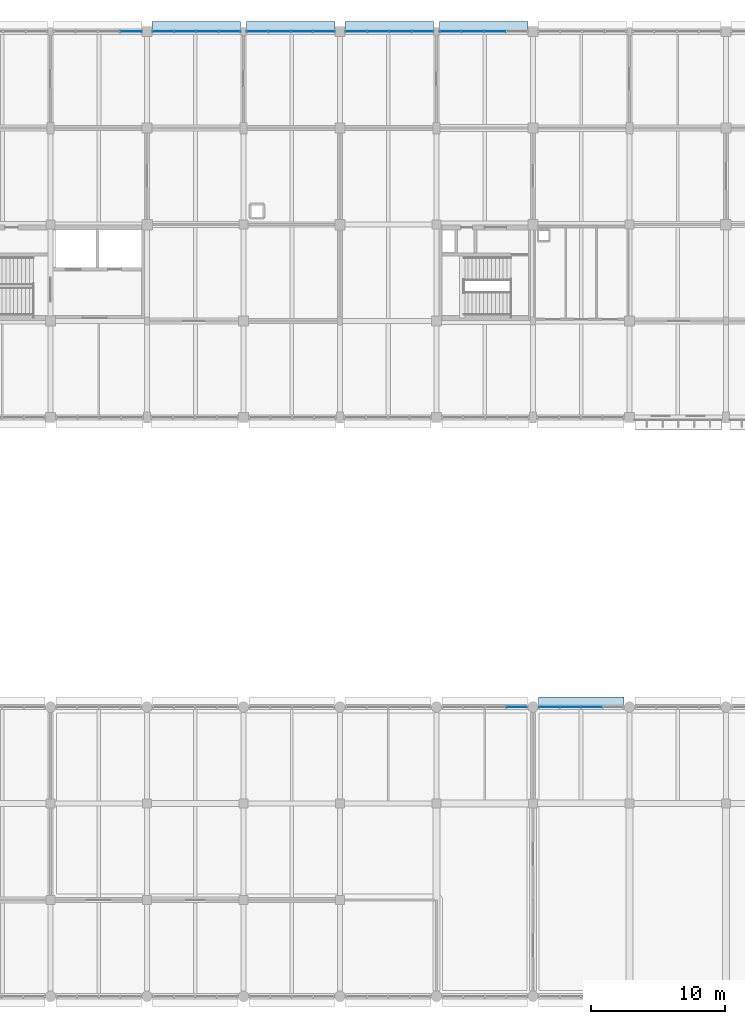
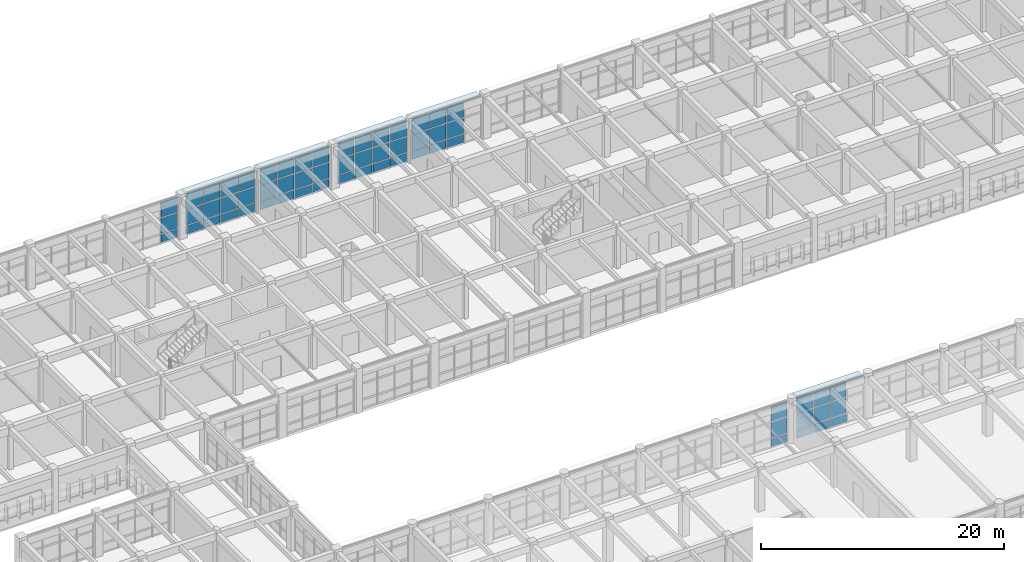
# One storey, part 135 of 171: 65 plates, 7 elements without a shape of their own.
"""IFC4 building model written with IfcOpenShell, lengths in metres."""

from ifc_helpers import new_model, si_unit, direction, frame, origin, origin_2d, place, context, subcontext, project, spatial, rectangle, extrude, material, layer, layer_set, type_object, element, aggregate, save


model = new_model("IFC4")

# Units and contexts
model_context = context("Model", 3, precision=1e-05, world=origin(), true_north=direction((0.0, 1.0)))
body_context = subcontext(model_context, "Body", "Model", "MODEL_VIEW")
ifc_project = project(units=[si_unit("LENGTHUNIT", "METRE"), si_unit("AREAUNIT", "SQUARE_METRE"), si_unit("VOLUMEUNIT", "CUBIC_METRE"), si_unit("PLANEANGLEUNIT", "RADIAN"), si_unit("MASSUNIT", "GRAM", prefix="KILO")], contexts=[model_context])

# Site, building, storey
site_placement = place(None, origin())
site = spatial("IfcSite", under=ifc_project, at=site_placement, CompositionType="ELEMENT")
building_placement = place(site_placement, origin())
building = spatial("IfcBuilding", under=site, at=building_placement, Name="Thalmaran Polytechnic", CompositionType="ELEMENT")
storey_placement = place(building_placement, frame((0.0, 0.0, 5.39990234375)))
storey = spatial("IfcBuildingStorey", under=building, at=storey_placement, Name="L01", CompositionType="ELEMENT", Elevation=5.39990234375)

# Plates
ifc_material_1 = material(Name="Anodised aluminium sun-hood eyebrow", Category="aluminium")
ifc_layer_1 = layer(ifc_material_1, 0.0849609375, Name="Anodised aluminium sun-hood eyebrow")
ifc_layer_set_1 = layer_set([ifc_layer_1], Name="Anodised aluminium sun-hood eyebrow")
plate_type_1 = type_object("IfcPlateType", Name="PT-EB01", PredefinedType="SHEET", material=ifc_layer_set_1)
for number, where, z_axis, x_axis, name in (
    (1, (39.679931640625, 122.760009765625, 4.107666015625), (0.0, 0.0, 1.0), (1.0, 0.0, 0.0), "Streamline Sun-Hood Eyebrow L01-CW084"),
    (2, (46.719970703125, 122.760009765625, 4.107666015625), (0.0, 0.0, 1.0), (1.0, 0.0, 0.0), "Streamline Sun-Hood Eyebrow L01-CW085"),
    (3, (54.080078125, 122.760009765625, 4.107666015625), (0.0, 0.0, 1.0), (1.0, 0.0, 0.0), "Streamline Sun-Hood Eyebrow L01-CW086"),
    (4, (61.1201171875, 122.760009765625, 4.107666015625), (0.0, 0.0, 1.0), (1.0, 0.0, 0.0), "Streamline Sun-Hood Eyebrow L01-CW087"),
):
    element("IfcPlate", number, at=place(storey_placement, frame(where, z_axis=z_axis, x_axis=x_axis)), inside=storey, type_object=plate_type_1, Name=name, PredefinedType="SHEET", context=body_context, shape_type="SweptSolid", body=[
        extrude(rectangle(XDim=6.60009765625, YDim=0.760009765625, at=origin_2d()), origin(), (0.0, 0.0, 1.0), 0.0849609375),
    ])
plate_1_placement = place(storey_placement, frame((68.39990234375, 72.360107421875, 4.107666015625), z_axis=(0.0, 0.0, 1.0), x_axis=(1.0, 0.0, 0.0)))
element("IfcPlate", 5, at=plate_1_placement, inside=storey, type_object=plate_type_1, Name="Streamline Sun-Hood Eyebrow L01-CW145", PredefinedType="SHEET", context=body_context, shape_type="SweptSolid", body=[
    extrude(rectangle(XDim=6.360107421875, YDim=0.760009765625, at=origin_2d()), origin(), (0.0, 0.0, 1.0), 0.0849609375),
])

# Curtain wall, plates
ifc_material_2 = material(Name="Aluminium 6063-T6", Category="aluminium")
curtain_wall_type_1 = type_object("IfcCurtainWallType", Name="CW-UC02", PredefinedType="USERDEFINED", material=ifc_material_2)
curtain_wall_1_placement = place(storey_placement, origin())
curtain_wall_1 = element("IfcCurtainWall", 6, at=curtain_wall_1_placement, inside=storey, type_object=curtain_wall_type_1, Name="Curtain Wall CW-L01-085", ObjectType="UNITISED CURTAIN WALL", PredefinedType="USERDEFINED")
ifc_material_3 = material(Name="Solar-control double low-E glass", Category="glass")
ifc_layer_2 = layer(ifc_material_3, 0.035888671875, Name="Solar-control double low-E glass")
ifc_layer_set_2 = layer_set([ifc_layer_2], Name="Solar-control double low-E glass")
plate_type_2 = type_object("IfcPlateType", Name="PT-GL01", PredefinedType="CURTAIN_PANEL", material=ifc_layer_set_2)
plate_2_placement = place(storey_placement, frame((44.22998046875, 122.39990234375, 1.000244140625), z_axis=(0.0, 0.0, 1.0), x_axis=(1.0, 0.0, 0.0)))
plate_2 = element("IfcPlate", 7, at=plate_2_placement, type_object=plate_type_2, Name="CW-L01-085 Vision Panel 1-2", PredefinedType="CURTAIN_PANEL", context=body_context, shape_type="SweptSolid", body=[
    extrude(rectangle(XDim=1.56005859375, YDim=0.035888671875, at=origin_2d()), origin(), (0.0, 0.0, 1.0), 1.544921875),
])
plate_3_placement = place(storey_placement, frame((44.22998046875, 122.39990234375, 2.625), z_axis=(0.0, 0.0, 1.0), x_axis=(1.0, 0.0, 0.0)))
plate_3 = element("IfcPlate", 8, at=plate_3_placement, type_object=plate_type_2, Name="CW-L01-085 Vision Panel 1-3", PredefinedType="CURTAIN_PANEL", context=body_context, shape_type="SweptSolid", body=[
    extrude(rectangle(XDim=1.56005859375, YDim=0.035888671875, at=origin_2d()), origin(), (0.0, 0.0, 1.0), 1.485107421875),
])
plate_4_placement = place(storey_placement, frame((45.889892578125, 122.39990234375, 1.000244140625), z_axis=(0.0, 0.0, 1.0), x_axis=(1.0, 0.0, 0.0)))
plate_4 = element("IfcPlate", 9, at=plate_4_placement, type_object=plate_type_2, Name="CW-L01-085 Vision Panel 2-2", PredefinedType="CURTAIN_PANEL", context=body_context, shape_type="SweptSolid", body=[
    extrude(rectangle(XDim=1.56005859375, YDim=0.035888671875, at=origin_2d()), origin(), (0.0, 0.0, 1.0), 1.544921875),
])
plate_5_placement = place(storey_placement, frame((45.889892578125, 122.39990234375, 2.625), z_axis=(0.0, 0.0, 1.0), x_axis=(1.0, 0.0, 0.0)))
plate_5 = element("IfcPlate", 10, at=plate_5_placement, type_object=plate_type_2, Name="CW-L01-085 Vision Panel 2-3", PredefinedType="CURTAIN_PANEL", context=body_context, shape_type="SweptSolid", body=[
    extrude(rectangle(XDim=1.56005859375, YDim=0.035888671875, at=origin_2d()), origin(), (0.0, 0.0, 1.0), 1.485107421875),
])
plate_6_placement = place(storey_placement, frame((47.550048828125, 122.39990234375, 1.000244140625), z_axis=(0.0, 0.0, 1.0), x_axis=(1.0, 0.0, 0.0)))
plate_6 = element("IfcPlate", 11, at=plate_6_placement, type_object=plate_type_2, Name="CW-L01-085 Vision Panel 3-2", PredefinedType="CURTAIN_PANEL", context=body_context, shape_type="SweptSolid", body=[
    extrude(rectangle(XDim=1.56005859375, YDim=0.035888671875, at=origin_2d()), origin(), (0.0, 0.0, 1.0), 1.544921875),
])
plate_7_placement = place(storey_placement, frame((47.550048828125, 122.39990234375, 2.625), z_axis=(0.0, 0.0, 1.0), x_axis=(1.0, 0.0, 0.0)))
plate_7 = element("IfcPlate", 12, at=plate_7_placement, type_object=plate_type_2, Name="CW-L01-085 Vision Panel 3-3", PredefinedType="CURTAIN_PANEL", context=body_context, shape_type="SweptSolid", body=[
    extrude(rectangle(XDim=1.56005859375, YDim=0.035888671875, at=origin_2d()), origin(), (0.0, 0.0, 1.0), 1.485107421875),
])
plate_8_placement = place(storey_placement, frame((49.2099609375, 122.39990234375, 1.000244140625), z_axis=(0.0, 0.0, 1.0), x_axis=(1.0, 0.0, 0.0)))
plate_8 = element("IfcPlate", 13, at=plate_8_placement, type_object=plate_type_2, Name="CW-L01-085 Vision Panel 4-2", PredefinedType="CURTAIN_PANEL", context=body_context, shape_type="SweptSolid", body=[
    extrude(rectangle(XDim=1.56005859375, YDim=0.035888671875, at=origin_2d()), origin(), (0.0, 0.0, 1.0), 1.544921875),
])
plate_9_placement = place(storey_placement, frame((49.2099609375, 122.39990234375, 2.625), z_axis=(0.0, 0.0, 1.0), x_axis=(1.0, 0.0, 0.0)))
plate_9 = element("IfcPlate", 14, at=plate_9_placement, type_object=plate_type_2, Name="CW-L01-085 Vision Panel 4-3", PredefinedType="CURTAIN_PANEL", context=body_context, shape_type="SweptSolid", body=[
    extrude(rectangle(XDim=1.56005859375, YDim=0.035888671875, at=origin_2d()), origin(), (0.0, 0.0, 1.0), 1.485107421875),
])

curtain_wall_type_2 = type_object("IfcCurtainWallType", Name="CW-SC01", PredefinedType="USERDEFINED", material=ifc_material_2)
curtain_wall_2_placement = place(storey_placement, origin())
curtain_wall_2 = element("IfcCurtainWall", 15, at=curtain_wall_2_placement, inside=storey, type_object=curtain_wall_type_2, Name="Curtain Wall CW-L01-145", ObjectType="STICK CURTAIN WALL", PredefinedType="USERDEFINED")
plate_10_placement = place(storey_placement, frame((66.0, 72.0, 1.000244140625), z_axis=(0.0, 0.0, 1.0), x_axis=(1.0, 0.0, 0.0)))
plate_10 = element("IfcPlate", 16, at=plate_10_placement, type_object=plate_type_2, Name="CW-L01-145 Vision Panel 1-2", PredefinedType="CURTAIN_PANEL", context=body_context, shape_type="SweptSolid", body=[
    extrude(rectangle(XDim=1.5, YDim=0.035888671875, at=origin_2d()), origin(), (0.0, 0.0, 1.0), 1.544921875),
])
plate_11_placement = place(storey_placement, frame((66.0, 72.0, 2.625), z_axis=(0.0, 0.0, 1.0), x_axis=(1.0, 0.0, 0.0)))
plate_11 = element("IfcPlate", 17, at=plate_11_placement, type_object=plate_type_2, Name="CW-L01-145 Vision Panel 1-3", PredefinedType="CURTAIN_PANEL", context=body_context, shape_type="SweptSolid", body=[
    extrude(rectangle(XDim=1.5, YDim=0.035888671875, at=origin_2d()), origin(), (0.0, 0.0, 1.0), 1.485107421875),
])
plate_12_placement = place(storey_placement, frame((67.60009765625, 72.0, 1.000244140625), z_axis=(0.0, 0.0, 1.0), x_axis=(1.0, 0.0, 0.0)))
plate_12 = element("IfcPlate", 18, at=plate_12_placement, type_object=plate_type_2, Name="CW-L01-145 Vision Panel 2-2", PredefinedType="CURTAIN_PANEL", context=body_context, shape_type="SweptSolid", body=[
    extrude(rectangle(XDim=1.5, YDim=0.035888671875, at=origin_2d()), origin(), (0.0, 0.0, 1.0), 1.544921875),
])
plate_13_placement = place(storey_placement, frame((67.60009765625, 72.0, 2.625), z_axis=(0.0, 0.0, 1.0), x_axis=(1.0, 0.0, 0.0)))
plate_13 = element("IfcPlate", 19, at=plate_13_placement, type_object=plate_type_2, Name="CW-L01-145 Vision Panel 2-3", PredefinedType="CURTAIN_PANEL", context=body_context, shape_type="SweptSolid", body=[
    extrude(rectangle(XDim=1.5, YDim=0.035888671875, at=origin_2d()), origin(), (0.0, 0.0, 1.0), 1.485107421875),
])
plate_14_placement = place(storey_placement, frame((69.199951171875, 72.0, 1.000244140625), z_axis=(0.0, 0.0, 1.0), x_axis=(1.0, 0.0, 0.0)))
plate_14 = element("IfcPlate", 20, at=plate_14_placement, type_object=plate_type_2, Name="CW-L01-145 Vision Panel 3-2", PredefinedType="CURTAIN_PANEL", context=body_context, shape_type="SweptSolid", body=[
    extrude(rectangle(XDim=1.5, YDim=0.035888671875, at=origin_2d()), origin(), (0.0, 0.0, 1.0), 1.544921875),
])
plate_15_placement = place(storey_placement, frame((69.199951171875, 72.0, 2.625), z_axis=(0.0, 0.0, 1.0), x_axis=(1.0, 0.0, 0.0)))
plate_15 = element("IfcPlate", 21, at=plate_15_placement, type_object=plate_type_2, Name="CW-L01-145 Vision Panel 3-3", PredefinedType="CURTAIN_PANEL", context=body_context, shape_type="SweptSolid", body=[
    extrude(rectangle(XDim=1.5, YDim=0.035888671875, at=origin_2d()), origin(), (0.0, 0.0, 1.0), 1.485107421875),
])

curtain_wall_3_placement = place(storey_placement, origin())
curtain_wall_3 = element("IfcCurtainWall", 22, at=curtain_wall_3_placement, inside=storey, type_object=curtain_wall_type_1, Name="Curtain Wall CW-L01-086", ObjectType="UNITISED CURTAIN WALL", PredefinedType="USERDEFINED")
ifc_layer_3 = layer(ifc_material_3, 0.035888671875, Name="Solar-control double low-E glass")
ifc_layer_set_3 = layer_set([ifc_layer_3], Name="Solar-control double low-E glass")
plate_type_3 = type_object("IfcPlateType", Name="PT-GL02", PredefinedType="CURTAIN_PANEL", material=ifc_layer_set_3)
plate_16_placement = place(storey_placement, frame((51.590087890625, 122.39990234375, 1.000244140625), z_axis=(0.0, 0.0, 1.0), x_axis=(1.0, 0.0, 0.0)))
plate_16 = element("IfcPlate", 23, at=plate_16_placement, type_object=plate_type_3, Name="CW-L01-086 Vision Panel 1-2", PredefinedType="CURTAIN_PANEL", context=body_context, shape_type="SweptSolid", body=[
    extrude(rectangle(XDim=1.56005859375, YDim=0.035888671875, at=origin_2d()), origin(), (0.0, 0.0, 1.0), 1.544921875),
])
plate_17_placement = place(storey_placement, frame((51.590087890625, 122.39990234375, 2.625), z_axis=(0.0, 0.0, 1.0), x_axis=(1.0, 0.0, 0.0)))
plate_17 = element("IfcPlate", 24, at=plate_17_placement, type_object=plate_type_3, Name="CW-L01-086 Vision Panel 1-3", PredefinedType="CURTAIN_PANEL", context=body_context, shape_type="SweptSolid", body=[
    extrude(rectangle(XDim=1.56005859375, YDim=0.035888671875, at=origin_2d()), origin(), (0.0, 0.0, 1.0), 1.485107421875),
])
plate_18_placement = place(storey_placement, frame((53.25, 122.39990234375, 1.000244140625), z_axis=(0.0, 0.0, 1.0), x_axis=(1.0, 0.0, 0.0)))
plate_18 = element("IfcPlate", 25, at=plate_18_placement, type_object=plate_type_3, Name="CW-L01-086 Vision Panel 2-2", PredefinedType="CURTAIN_PANEL", context=body_context, shape_type="SweptSolid", body=[
    extrude(rectangle(XDim=1.56005859375, YDim=0.035888671875, at=origin_2d()), origin(), (0.0, 0.0, 1.0), 1.544921875),
])
plate_19_placement = place(storey_placement, frame((53.25, 122.39990234375, 2.625), z_axis=(0.0, 0.0, 1.0), x_axis=(1.0, 0.0, 0.0)))
plate_19 = element("IfcPlate", 26, at=plate_19_placement, type_object=plate_type_3, Name="CW-L01-086 Vision Panel 2-3", PredefinedType="CURTAIN_PANEL", context=body_context, shape_type="SweptSolid", body=[
    extrude(rectangle(XDim=1.56005859375, YDim=0.035888671875, at=origin_2d()), origin(), (0.0, 0.0, 1.0), 1.485107421875),
])
plate_20_placement = place(storey_placement, frame((54.909912109375, 122.39990234375, 1.000244140625), z_axis=(0.0, 0.0, 1.0), x_axis=(1.0, 0.0, 0.0)))
plate_20 = element("IfcPlate", 27, at=plate_20_placement, type_object=plate_type_3, Name="CW-L01-086 Vision Panel 3-2", PredefinedType="CURTAIN_PANEL", context=body_context, shape_type="SweptSolid", body=[
    extrude(rectangle(XDim=1.56005859375, YDim=0.035888671875, at=origin_2d()), origin(), (0.0, 0.0, 1.0), 1.544921875),
])
plate_21_placement = place(storey_placement, frame((54.909912109375, 122.39990234375, 2.625), z_axis=(0.0, 0.0, 1.0), x_axis=(1.0, 0.0, 0.0)))
plate_21 = element("IfcPlate", 28, at=plate_21_placement, type_object=plate_type_3, Name="CW-L01-086 Vision Panel 3-3", PredefinedType="CURTAIN_PANEL", context=body_context, shape_type="SweptSolid", body=[
    extrude(rectangle(XDim=1.56005859375, YDim=0.035888671875, at=origin_2d()), origin(), (0.0, 0.0, 1.0), 1.485107421875),
])
plate_22_placement = place(storey_placement, frame((56.570068359375, 122.39990234375, 1.000244140625), z_axis=(0.0, 0.0, 1.0), x_axis=(1.0, 0.0, 0.0)))
plate_22 = element("IfcPlate", 29, at=plate_22_placement, type_object=plate_type_3, Name="CW-L01-086 Vision Panel 4-2", PredefinedType="CURTAIN_PANEL", context=body_context, shape_type="SweptSolid", body=[
    extrude(rectangle(XDim=1.56005859375, YDim=0.035888671875, at=origin_2d()), origin(), (0.0, 0.0, 1.0), 1.544921875),
])
plate_23_placement = place(storey_placement, frame((56.570068359375, 122.39990234375, 2.625), z_axis=(0.0, 0.0, 1.0), x_axis=(1.0, 0.0, 0.0)))
plate_23 = element("IfcPlate", 30, at=plate_23_placement, type_object=plate_type_3, Name="CW-L01-086 Vision Panel 4-3", PredefinedType="CURTAIN_PANEL", context=body_context, shape_type="SweptSolid", body=[
    extrude(rectangle(XDim=1.56005859375, YDim=0.035888671875, at=origin_2d()), origin(), (0.0, 0.0, 1.0), 1.485107421875),
])

curtain_wall_4_placement = place(storey_placement, origin())
curtain_wall_4 = element("IfcCurtainWall", 31, at=curtain_wall_4_placement, inside=storey, type_object=curtain_wall_type_1, Name="Curtain Wall CW-L01-087", ObjectType="UNITISED CURTAIN WALL", PredefinedType="USERDEFINED")
ifc_layer_4 = layer(ifc_material_3, 0.035888671875, Name="Solar-control double low-E glass")
ifc_layer_set_4 = layer_set([ifc_layer_4], Name="Solar-control double low-E glass")
plate_type_4 = type_object("IfcPlateType", Name="PT-GL03", PredefinedType="CURTAIN_PANEL", material=ifc_layer_set_4)
plate_24_placement = place(storey_placement, frame((58.6298828125, 122.39990234375, 1.000244140625), z_axis=(0.0, 0.0, 1.0), x_axis=(1.0, 0.0, 0.0)))
plate_24 = element("IfcPlate", 32, at=plate_24_placement, type_object=plate_type_4, Name="CW-L01-087 Vision Panel 1-2", PredefinedType="CURTAIN_PANEL", context=body_context, shape_type="SweptSolid", body=[
    extrude(rectangle(XDim=1.56005859375, YDim=0.035888671875, at=origin_2d()), origin(), (0.0, 0.0, 1.0), 1.544921875),
])
plate_25_placement = place(storey_placement, frame((58.6298828125, 122.39990234375, 2.625), z_axis=(0.0, 0.0, 1.0), x_axis=(1.0, 0.0, 0.0)))
plate_25 = element("IfcPlate", 33, at=plate_25_placement, type_object=plate_type_4, Name="CW-L01-087 Vision Panel 1-3", PredefinedType="CURTAIN_PANEL", context=body_context, shape_type="SweptSolid", body=[
    extrude(rectangle(XDim=1.56005859375, YDim=0.035888671875, at=origin_2d()), origin(), (0.0, 0.0, 1.0), 1.485107421875),
])
plate_26_placement = place(storey_placement, frame((60.2900390625, 122.39990234375, 1.000244140625), z_axis=(0.0, 0.0, 1.0), x_axis=(1.0, 0.0, 0.0)))
plate_26 = element("IfcPlate", 34, at=plate_26_placement, type_object=plate_type_4, Name="CW-L01-087 Vision Panel 2-2", PredefinedType="CURTAIN_PANEL", context=body_context, shape_type="SweptSolid", body=[
    extrude(rectangle(XDim=1.56005859375, YDim=0.035888671875, at=origin_2d()), origin(), (0.0, 0.0, 1.0), 1.544921875),
])
plate_27_placement = place(storey_placement, frame((60.2900390625, 122.39990234375, 2.625), z_axis=(0.0, 0.0, 1.0), x_axis=(1.0, 0.0, 0.0)))
plate_27 = element("IfcPlate", 35, at=plate_27_placement, type_object=plate_type_4, Name="CW-L01-087 Vision Panel 2-3", PredefinedType="CURTAIN_PANEL", context=body_context, shape_type="SweptSolid", body=[
    extrude(rectangle(XDim=1.56005859375, YDim=0.035888671875, at=origin_2d()), origin(), (0.0, 0.0, 1.0), 1.485107421875),
])
plate_28_placement = place(storey_placement, frame((61.949951171875, 122.39990234375, 1.000244140625), z_axis=(0.0, 0.0, 1.0), x_axis=(1.0, 0.0, 0.0)))
plate_28 = element("IfcPlate", 36, at=plate_28_placement, type_object=plate_type_4, Name="CW-L01-087 Vision Panel 3-2", PredefinedType="CURTAIN_PANEL", context=body_context, shape_type="SweptSolid", body=[
    extrude(rectangle(XDim=1.56005859375, YDim=0.035888671875, at=origin_2d()), origin(), (0.0, 0.0, 1.0), 1.544921875),
])
plate_29_placement = place(storey_placement, frame((61.949951171875, 122.39990234375, 2.625), z_axis=(0.0, 0.0, 1.0), x_axis=(1.0, 0.0, 0.0)))
plate_29 = element("IfcPlate", 37, at=plate_29_placement, type_object=plate_type_4, Name="CW-L01-087 Vision Panel 3-3", PredefinedType="CURTAIN_PANEL", context=body_context, shape_type="SweptSolid", body=[
    extrude(rectangle(XDim=1.56005859375, YDim=0.035888671875, at=origin_2d()), origin(), (0.0, 0.0, 1.0), 1.485107421875),
])

curtain_wall_5_placement = place(storey_placement, origin())
curtain_wall_5 = element("IfcCurtainWall", 38, at=curtain_wall_5_placement, inside=storey, type_object=curtain_wall_type_1, Name="Curtain Wall CW-L01-083", ObjectType="UNITISED CURTAIN WALL", PredefinedType="USERDEFINED")
ifc_layer_5 = layer(ifc_material_3, 0.035888671875, Name="Solar-control double low-E glass")
ifc_layer_set_5 = layer_set([ifc_layer_5], Name="Solar-control double low-E glass")
plate_type_5 = type_object("IfcPlateType", Name="PT-GL04", PredefinedType="CURTAIN_PANEL", material=ifc_layer_set_5)
plate_30_placement = place(storey_placement, frame((34.81005859375, 122.39990234375, 1.000244140625), z_axis=(0.0, 0.0, 1.0), x_axis=(1.0, 0.0, 0.0)))
plate_30 = element("IfcPlate", 39, at=plate_30_placement, type_object=plate_type_5, Name="CW-L01-083 Vision Panel 4-2", PredefinedType="CURTAIN_PANEL", context=body_context, shape_type="SweptSolid", body=[
    extrude(rectangle(XDim=1.56005859375, YDim=0.035888671875, at=origin_2d()), origin(), (0.0, 0.0, 1.0), 1.544921875),
])
plate_31_placement = place(storey_placement, frame((34.81005859375, 122.39990234375, 2.625), z_axis=(0.0, 0.0, 1.0), x_axis=(1.0, 0.0, 0.0)))
plate_31 = element("IfcPlate", 40, at=plate_31_placement, type_object=plate_type_5, Name="CW-L01-083 Vision Panel 4-3", PredefinedType="CURTAIN_PANEL", context=body_context, shape_type="SweptSolid", body=[
    extrude(rectangle(XDim=1.56005859375, YDim=0.035888671875, at=origin_2d()), origin(), (0.0, 0.0, 1.0), 1.485107421875),
])

curtain_wall_6_placement = place(storey_placement, origin())
curtain_wall_6 = element("IfcCurtainWall", 41, at=curtain_wall_6_placement, inside=storey, type_object=curtain_wall_type_1, Name="Curtain Wall CW-L01-084", ObjectType="UNITISED CURTAIN WALL", PredefinedType="USERDEFINED")
ifc_layer_6 = layer(ifc_material_3, 0.035888671875, Name="Solar-control double low-E glass")
ifc_layer_set_6 = layer_set([ifc_layer_6], Name="Solar-control double low-E glass")
plate_type_6 = type_object("IfcPlateType", Name="PT-GL05", PredefinedType="CURTAIN_PANEL", material=ifc_layer_set_6)
plate_32_placement = place(storey_placement, frame((37.18994140625, 122.39990234375, 1.000244140625), z_axis=(0.0, 0.0, 1.0), x_axis=(1.0, 0.0, 0.0)))
plate_32 = element("IfcPlate", 42, at=plate_32_placement, type_object=plate_type_6, Name="CW-L01-084 Vision Panel 1-2", PredefinedType="CURTAIN_PANEL", context=body_context, shape_type="SweptSolid", body=[
    extrude(rectangle(XDim=1.56005859375, YDim=0.035888671875, at=origin_2d()), origin(), (0.0, 0.0, 1.0), 1.544921875),
])
plate_33_placement = place(storey_placement, frame((37.18994140625, 122.39990234375, 2.625), z_axis=(0.0, 0.0, 1.0), x_axis=(1.0, 0.0, 0.0)))
plate_33 = element("IfcPlate", 43, at=plate_33_placement, type_object=plate_type_6, Name="CW-L01-084 Vision Panel 1-3", PredefinedType="CURTAIN_PANEL", context=body_context, shape_type="SweptSolid", body=[
    extrude(rectangle(XDim=1.56005859375, YDim=0.035888671875, at=origin_2d()), origin(), (0.0, 0.0, 1.0), 1.485107421875),
])
plate_34_placement = place(storey_placement, frame((38.85009765625, 122.39990234375, 1.000244140625), z_axis=(0.0, 0.0, 1.0), x_axis=(1.0, 0.0, 0.0)))
plate_34 = element("IfcPlate", 44, at=plate_34_placement, type_object=plate_type_6, Name="CW-L01-084 Vision Panel 2-2", PredefinedType="CURTAIN_PANEL", context=body_context, shape_type="SweptSolid", body=[
    extrude(rectangle(XDim=1.56005859375, YDim=0.035888671875, at=origin_2d()), origin(), (0.0, 0.0, 1.0), 1.544921875),
])
plate_35_placement = place(storey_placement, frame((38.85009765625, 122.39990234375, 2.625), z_axis=(0.0, 0.0, 1.0), x_axis=(1.0, 0.0, 0.0)))
plate_35 = element("IfcPlate", 45, at=plate_35_placement, type_object=plate_type_6, Name="CW-L01-084 Vision Panel 2-3", PredefinedType="CURTAIN_PANEL", context=body_context, shape_type="SweptSolid", body=[
    extrude(rectangle(XDim=1.56005859375, YDim=0.035888671875, at=origin_2d()), origin(), (0.0, 0.0, 1.0), 1.485107421875),
])
plate_36_placement = place(storey_placement, frame((40.510009765625, 122.39990234375, 1.000244140625), z_axis=(0.0, 0.0, 1.0), x_axis=(1.0, 0.0, 0.0)))
plate_36 = element("IfcPlate", 46, at=plate_36_placement, type_object=plate_type_6, Name="CW-L01-084 Vision Panel 3-2", PredefinedType="CURTAIN_PANEL", context=body_context, shape_type="SweptSolid", body=[
    extrude(rectangle(XDim=1.56005859375, YDim=0.035888671875, at=origin_2d()), origin(), (0.0, 0.0, 1.0), 1.544921875),
])
plate_37_placement = place(storey_placement, frame((40.510009765625, 122.39990234375, 2.625), z_axis=(0.0, 0.0, 1.0), x_axis=(1.0, 0.0, 0.0)))
plate_37 = element("IfcPlate", 47, at=plate_37_placement, type_object=plate_type_6, Name="CW-L01-084 Vision Panel 3-3", PredefinedType="CURTAIN_PANEL", context=body_context, shape_type="SweptSolid", body=[
    extrude(rectangle(XDim=1.56005859375, YDim=0.035888671875, at=origin_2d()), origin(), (0.0, 0.0, 1.0), 1.485107421875),
])
plate_38_placement = place(storey_placement, frame((42.169921875, 122.39990234375, 1.000244140625), z_axis=(0.0, 0.0, 1.0), x_axis=(1.0, 0.0, 0.0)))
plate_38 = element("IfcPlate", 48, at=plate_38_placement, type_object=plate_type_6, Name="CW-L01-084 Vision Panel 4-2", PredefinedType="CURTAIN_PANEL", context=body_context, shape_type="SweptSolid", body=[
    extrude(rectangle(XDim=1.56005859375, YDim=0.035888671875, at=origin_2d()), origin(), (0.0, 0.0, 1.0), 1.544921875),
])
plate_39_placement = place(storey_placement, frame((42.169921875, 122.39990234375, 2.625), z_axis=(0.0, 0.0, 1.0), x_axis=(1.0, 0.0, 0.0)))
plate_39 = element("IfcPlate", 49, at=plate_39_placement, type_object=plate_type_6, Name="CW-L01-084 Vision Panel 4-3", PredefinedType="CURTAIN_PANEL", context=body_context, shape_type="SweptSolid", body=[
    extrude(rectangle(XDim=1.56005859375, YDim=0.035888671875, at=origin_2d()), origin(), (0.0, 0.0, 1.0), 1.485107421875),
])

curtain_wall_7_placement = place(storey_placement, origin())
curtain_wall_7 = element("IfcCurtainWall", 50, at=curtain_wall_7_placement, inside=storey, type_object=curtain_wall_type_2, Name="Curtain Wall CW-L01-144", ObjectType="STICK CURTAIN WALL", PredefinedType="USERDEFINED")
plate_40_placement = place(storey_placement, frame((63.60009765625, 72.0, 1.000244140625), z_axis=(0.0, 0.0, 1.0), x_axis=(1.0, 0.0, 0.0)))
plate_40 = element("IfcPlate", 51, at=plate_40_placement, type_object=plate_type_6, Name="CW-L01-144 Vision Panel 4-2", PredefinedType="CURTAIN_PANEL", context=body_context, shape_type="SweptSolid", body=[
    extrude(rectangle(XDim=1.5, YDim=0.035888671875, at=origin_2d()), origin(), (0.0, 0.0, 1.0), 1.544921875),
])
plate_41_placement = place(storey_placement, frame((63.60009765625, 72.0, 2.625), z_axis=(0.0, 0.0, 1.0), x_axis=(1.0, 0.0, 0.0)))
plate_41 = element("IfcPlate", 52, at=plate_41_placement, type_object=plate_type_6, Name="CW-L01-144 Vision Panel 4-3", PredefinedType="CURTAIN_PANEL", context=body_context, shape_type="SweptSolid", body=[
    extrude(rectangle(XDim=1.5, YDim=0.035888671875, at=origin_2d()), origin(), (0.0, 0.0, 1.0), 1.485107421875),
])

# Plate
ifc_material_4 = material(Name="Insulated anodised aluminium spandrel", Category="aluminium")
ifc_layer_7 = layer(ifc_material_4, 0.06005859375, Name="Insulated anodised aluminium spandrel")
ifc_layer_set_7 = layer_set([ifc_layer_7], Name="Insulated anodised aluminium spandrel")
plate_type_7 = type_object("IfcPlateType", Name="PT-SP01", PredefinedType="CURTAIN_PANEL", material=ifc_layer_set_7)
plate_42_placement = place(storey_placement, frame((37.18994140625, 122.39990234375, 0.10009765625), z_axis=(0.0, 0.0, 1.0), x_axis=(1.0, 0.0, 0.0)))
plate_42 = element("IfcPlate", 53, at=plate_42_placement, type_object=plate_type_7, Name="CW-L01-084 Spandrel Panel 1-1", PredefinedType="CURTAIN_PANEL", context=body_context, shape_type="SweptSolid", body=[
    extrude(rectangle(XDim=1.56005859375, YDim=0.06005859375, at=origin_2d()), origin(), (0.0, 0.0, 1.0), 0.820068359375),
])

plate_43_placement = place(storey_placement, frame((38.85009765625, 122.39990234375, 0.10009765625), z_axis=(0.0, 0.0, 1.0), x_axis=(1.0, 0.0, 0.0)))
plate_43 = element("IfcPlate", 54, at=plate_43_placement, type_object=plate_type_7, Name="CW-L01-084 Spandrel Panel 2-1", PredefinedType="CURTAIN_PANEL", context=body_context, shape_type="SweptSolid", body=[
    extrude(rectangle(XDim=1.56005859375, YDim=0.06005859375, at=origin_2d()), origin(), (0.0, 0.0, 1.0), 0.820068359375),
])

plate_44_placement = place(storey_placement, frame((40.510009765625, 122.39990234375, 0.10009765625), z_axis=(0.0, 0.0, 1.0), x_axis=(1.0, 0.0, 0.0)))
plate_44 = element("IfcPlate", 55, at=plate_44_placement, type_object=plate_type_7, Name="CW-L01-084 Spandrel Panel 3-1", PredefinedType="CURTAIN_PANEL", context=body_context, shape_type="SweptSolid", body=[
    extrude(rectangle(XDim=1.56005859375, YDim=0.06005859375, at=origin_2d()), origin(), (0.0, 0.0, 1.0), 0.820068359375),
])

plate_45_placement = place(storey_placement, frame((42.169921875, 122.39990234375, 0.10009765625), z_axis=(0.0, 0.0, 1.0), x_axis=(1.0, 0.0, 0.0)))
plate_45 = element("IfcPlate", 56, at=plate_45_placement, type_object=plate_type_7, Name="CW-L01-084 Spandrel Panel 4-1", PredefinedType="CURTAIN_PANEL", context=body_context, shape_type="SweptSolid", body=[
    extrude(rectangle(XDim=1.56005859375, YDim=0.06005859375, at=origin_2d()), origin(), (0.0, 0.0, 1.0), 0.820068359375),
])

aggregate(curtain_wall_6, [plate_42, plate_32, plate_33, plate_43, plate_34, plate_35, plate_44, plate_36, plate_37, plate_45, plate_38, plate_39])

plate_46_placement = place(storey_placement, frame((58.6298828125, 122.39990234375, 0.10009765625), z_axis=(0.0, 0.0, 1.0), x_axis=(1.0, 0.0, 0.0)))
plate_46 = element("IfcPlate", 57, at=plate_46_placement, type_object=plate_type_7, Name="CW-L01-087 Spandrel Panel 1-1", PredefinedType="CURTAIN_PANEL", context=body_context, shape_type="SweptSolid", body=[
    extrude(rectangle(XDim=1.56005859375, YDim=0.06005859375, at=origin_2d()), origin(), (0.0, 0.0, 1.0), 0.820068359375),
])

plate_47_placement = place(storey_placement, frame((60.2900390625, 122.39990234375, 0.10009765625), z_axis=(0.0, 0.0, 1.0), x_axis=(1.0, 0.0, 0.0)))
plate_47 = element("IfcPlate", 58, at=plate_47_placement, type_object=plate_type_7, Name="CW-L01-087 Spandrel Panel 2-1", PredefinedType="CURTAIN_PANEL", context=body_context, shape_type="SweptSolid", body=[
    extrude(rectangle(XDim=1.56005859375, YDim=0.06005859375, at=origin_2d()), origin(), (0.0, 0.0, 1.0), 0.820068359375),
])

plate_48_placement = place(storey_placement, frame((61.949951171875, 122.39990234375, 0.10009765625), z_axis=(0.0, 0.0, 1.0), x_axis=(1.0, 0.0, 0.0)))
plate_48 = element("IfcPlate", 59, at=plate_48_placement, type_object=plate_type_7, Name="CW-L01-087 Spandrel Panel 3-1", PredefinedType="CURTAIN_PANEL", context=body_context, shape_type="SweptSolid", body=[
    extrude(rectangle(XDim=1.56005859375, YDim=0.06005859375, at=origin_2d()), origin(), (0.0, 0.0, 1.0), 0.820068359375),
])

aggregate(curtain_wall_4, [plate_46, plate_24, plate_25, plate_47, plate_26, plate_27, plate_48, plate_28, plate_29])

plate_49_placement = place(storey_placement, frame((63.60009765625, 72.0, 0.10009765625), z_axis=(0.0, 0.0, 1.0), x_axis=(1.0, 0.0, 0.0)))
plate_49 = element("IfcPlate", 60, at=plate_49_placement, type_object=plate_type_7, Name="CW-L01-144 Spandrel Panel 4-1", PredefinedType="CURTAIN_PANEL", context=body_context, shape_type="SweptSolid", body=[
    extrude(rectangle(XDim=1.5, YDim=0.06005859375, at=origin_2d()), origin(), (0.0, 0.0, 1.0), 0.820068359375),
])

aggregate(curtain_wall_7, [plate_49, plate_40, plate_41])

ifc_layer_8 = layer(ifc_material_4, 0.06005859375, Name="Insulated anodised aluminium spandrel")
ifc_layer_set_8 = layer_set([ifc_layer_8], Name="Insulated anodised aluminium spandrel")
plate_type_8 = type_object("IfcPlateType", Name="PT-SP02", PredefinedType="CURTAIN_PANEL", material=ifc_layer_set_8)
plate_50_placement = place(storey_placement, frame((44.22998046875, 122.39990234375, 0.10009765625), z_axis=(0.0, 0.0, 1.0), x_axis=(1.0, 0.0, 0.0)))
plate_50 = element("IfcPlate", 61, at=plate_50_placement, type_object=plate_type_8, Name="CW-L01-085 Spandrel Panel 1-1", PredefinedType="CURTAIN_PANEL", context=body_context, shape_type="SweptSolid", body=[
    extrude(rectangle(XDim=1.56005859375, YDim=0.06005859375, at=origin_2d()), origin(), (0.0, 0.0, 1.0), 0.820068359375),
])

plate_51_placement = place(storey_placement, frame((45.889892578125, 122.39990234375, 0.10009765625), z_axis=(0.0, 0.0, 1.0), x_axis=(1.0, 0.0, 0.0)))
plate_51 = element("IfcPlate", 62, at=plate_51_placement, type_object=plate_type_8, Name="CW-L01-085 Spandrel Panel 2-1", PredefinedType="CURTAIN_PANEL", context=body_context, shape_type="SweptSolid", body=[
    extrude(rectangle(XDim=1.56005859375, YDim=0.06005859375, at=origin_2d()), origin(), (0.0, 0.0, 1.0), 0.820068359375),
])

plate_52_placement = place(storey_placement, frame((47.550048828125, 122.39990234375, 0.10009765625), z_axis=(0.0, 0.0, 1.0), x_axis=(1.0, 0.0, 0.0)))
plate_52 = element("IfcPlate", 63, at=plate_52_placement, type_object=plate_type_8, Name="CW-L01-085 Spandrel Panel 3-1", PredefinedType="CURTAIN_PANEL", context=body_context, shape_type="SweptSolid", body=[
    extrude(rectangle(XDim=1.56005859375, YDim=0.06005859375, at=origin_2d()), origin(), (0.0, 0.0, 1.0), 0.820068359375),
])

plate_53_placement = place(storey_placement, frame((49.2099609375, 122.39990234375, 0.10009765625), z_axis=(0.0, 0.0, 1.0), x_axis=(1.0, 0.0, 0.0)))
plate_53 = element("IfcPlate", 64, at=plate_53_placement, type_object=plate_type_8, Name="CW-L01-085 Spandrel Panel 4-1", PredefinedType="CURTAIN_PANEL", context=body_context, shape_type="SweptSolid", body=[
    extrude(rectangle(XDim=1.56005859375, YDim=0.06005859375, at=origin_2d()), origin(), (0.0, 0.0, 1.0), 0.820068359375),
])

aggregate(curtain_wall_1, [plate_50, plate_2, plate_3, plate_51, plate_4, plate_5, plate_52, plate_6, plate_7, plate_53, plate_8, plate_9])

plate_54_placement = place(storey_placement, frame((66.0, 72.0, 0.10009765625), z_axis=(0.0, 0.0, 1.0), x_axis=(1.0, 0.0, 0.0)))
plate_54 = element("IfcPlate", 65, at=plate_54_placement, type_object=plate_type_8, Name="CW-L01-145 Spandrel Panel 1-1", PredefinedType="CURTAIN_PANEL", context=body_context, shape_type="SweptSolid", body=[
    extrude(rectangle(XDim=1.5, YDim=0.06005859375, at=origin_2d()), origin(), (0.0, 0.0, 1.0), 0.820068359375),
])

plate_55_placement = place(storey_placement, frame((67.60009765625, 72.0, 0.10009765625), z_axis=(0.0, 0.0, 1.0), x_axis=(1.0, 0.0, 0.0)))
plate_55 = element("IfcPlate", 66, at=plate_55_placement, type_object=plate_type_8, Name="CW-L01-145 Spandrel Panel 2-1", PredefinedType="CURTAIN_PANEL", context=body_context, shape_type="SweptSolid", body=[
    extrude(rectangle(XDim=1.5, YDim=0.06005859375, at=origin_2d()), origin(), (0.0, 0.0, 1.0), 0.820068359375),
])

plate_56_placement = place(storey_placement, frame((69.199951171875, 72.0, 0.10009765625), z_axis=(0.0, 0.0, 1.0), x_axis=(1.0, 0.0, 0.0)))
plate_56 = element("IfcPlate", 67, at=plate_56_placement, type_object=plate_type_8, Name="CW-L01-145 Spandrel Panel 3-1", PredefinedType="CURTAIN_PANEL", context=body_context, shape_type="SweptSolid", body=[
    extrude(rectangle(XDim=1.5, YDim=0.06005859375, at=origin_2d()), origin(), (0.0, 0.0, 1.0), 0.820068359375),
])

aggregate(curtain_wall_2, [plate_54, plate_10, plate_11, plate_55, plate_12, plate_13, plate_56, plate_14, plate_15])

ifc_layer_9 = layer(ifc_material_4, 0.06005859375, Name="Insulated anodised aluminium spandrel")
ifc_layer_set_9 = layer_set([ifc_layer_9], Name="Insulated anodised aluminium spandrel")
plate_type_9 = type_object("IfcPlateType", Name="PT-SP03", PredefinedType="CURTAIN_PANEL", material=ifc_layer_set_9)
plate_57_placement = place(storey_placement, frame((34.81005859375, 122.39990234375, 0.10009765625), z_axis=(0.0, 0.0, 1.0), x_axis=(1.0, 0.0, 0.0)))
plate_57 = element("IfcPlate", 68, at=plate_57_placement, type_object=plate_type_9, Name="CW-L01-083 Spandrel Panel 4-1", PredefinedType="CURTAIN_PANEL", context=body_context, shape_type="SweptSolid", body=[
    extrude(rectangle(XDim=1.56005859375, YDim=0.06005859375, at=origin_2d()), origin(), (0.0, 0.0, 1.0), 0.820068359375),
])

aggregate(curtain_wall_5, [plate_57, plate_30, plate_31])

plate_58_placement = place(storey_placement, frame((51.590087890625, 122.39990234375, 0.10009765625), z_axis=(0.0, 0.0, 1.0), x_axis=(1.0, 0.0, 0.0)))
plate_58 = element("IfcPlate", 69, at=plate_58_placement, type_object=plate_type_9, Name="CW-L01-086 Spandrel Panel 1-1", PredefinedType="CURTAIN_PANEL", context=body_context, shape_type="SweptSolid", body=[
    extrude(rectangle(XDim=1.56005859375, YDim=0.06005859375, at=origin_2d()), origin(), (0.0, 0.0, 1.0), 0.820068359375),
])

plate_59_placement = place(storey_placement, frame((53.25, 122.39990234375, 0.10009765625), z_axis=(0.0, 0.0, 1.0), x_axis=(1.0, 0.0, 0.0)))
plate_59 = element("IfcPlate", 70, at=plate_59_placement, type_object=plate_type_9, Name="CW-L01-086 Spandrel Panel 2-1", PredefinedType="CURTAIN_PANEL", context=body_context, shape_type="SweptSolid", body=[
    extrude(rectangle(XDim=1.56005859375, YDim=0.06005859375, at=origin_2d()), origin(), (0.0, 0.0, 1.0), 0.820068359375),
])

plate_60_placement = place(storey_placement, frame((54.909912109375, 122.39990234375, 0.10009765625), z_axis=(0.0, 0.0, 1.0), x_axis=(1.0, 0.0, 0.0)))
plate_60 = element("IfcPlate", 71, at=plate_60_placement, type_object=plate_type_9, Name="CW-L01-086 Spandrel Panel 3-1", PredefinedType="CURTAIN_PANEL", context=body_context, shape_type="SweptSolid", body=[
    extrude(rectangle(XDim=1.56005859375, YDim=0.06005859375, at=origin_2d()), origin(), (0.0, 0.0, 1.0), 0.820068359375),
])

plate_61_placement = place(storey_placement, frame((56.570068359375, 122.39990234375, 0.10009765625), z_axis=(0.0, 0.0, 1.0), x_axis=(1.0, 0.0, 0.0)))
plate_61 = element("IfcPlate", 72, at=plate_61_placement, type_object=plate_type_9, Name="CW-L01-086 Spandrel Panel 4-1", PredefinedType="CURTAIN_PANEL", context=body_context, shape_type="SweptSolid", body=[
    extrude(rectangle(XDim=1.56005859375, YDim=0.06005859375, at=origin_2d()), origin(), (0.0, 0.0, 1.0), 0.820068359375),
])

aggregate(curtain_wall_3, [plate_58, plate_16, plate_17, plate_59, plate_18, plate_19, plate_60, plate_20, plate_21, plate_61, plate_22, plate_23])

save(model, "model.ifc")
